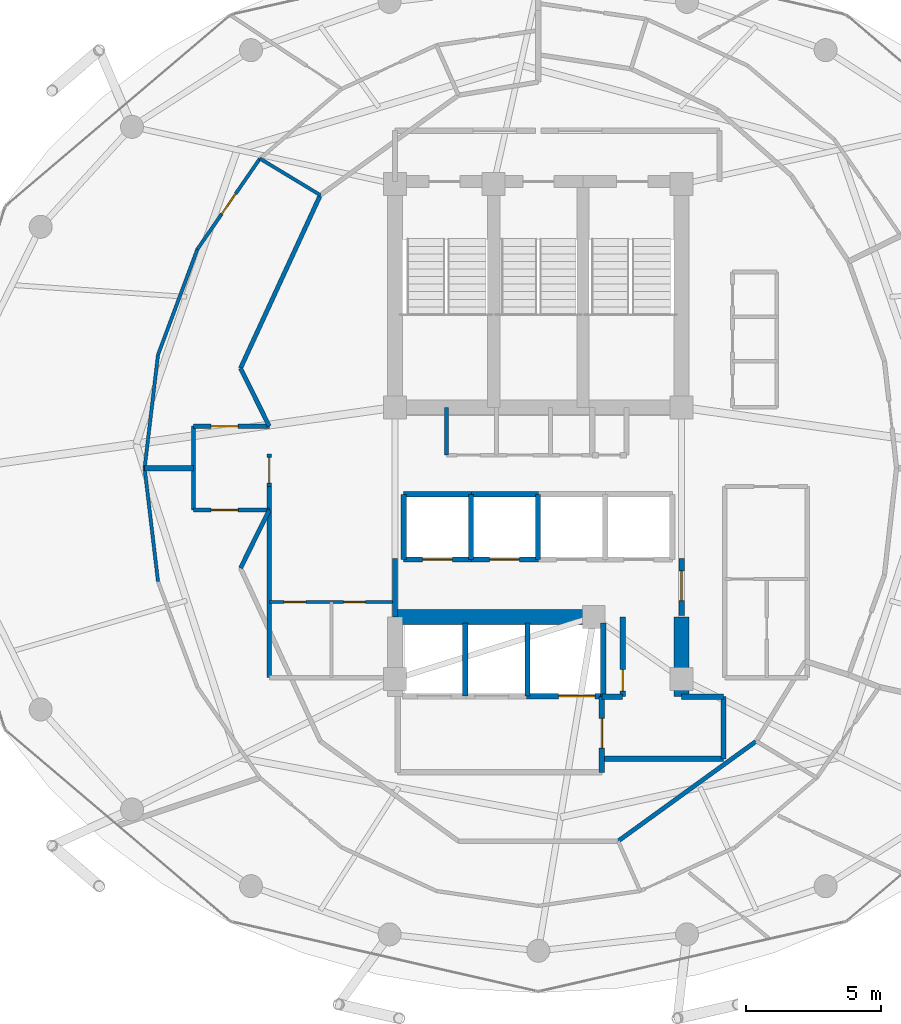
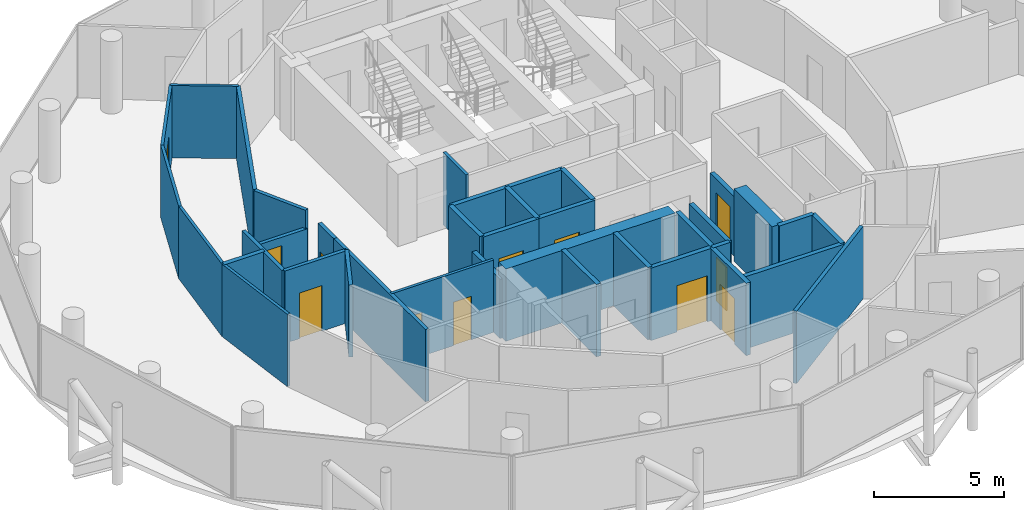
# One storey, part 23 of 27: 38 walls, 12 doors, 12 openings.
"""IFC4 building model written with IfcOpenShell, lengths in metres."""

from ifc_helpers import new_model, si_unit, direction, frame, frame_2d, origin, place, context, subcontext, project, spatial, rectangle, extrude, material, layer, layer_set, type_object, element, fill, save


model = new_model("IFC4")

# Units and contexts
model_context = context("Model", 3, precision=1e-05, world=origin(), true_north=direction((0.0, 1.0)))
body_context = subcontext(model_context, "Body", "Model", "MODEL_VIEW")
ifc_project = project(units=[si_unit("LENGTHUNIT", "METRE"), si_unit("AREAUNIT", "SQUARE_METRE"), si_unit("VOLUMEUNIT", "CUBIC_METRE"), si_unit("PLANEANGLEUNIT", "RADIAN"), si_unit("MASSUNIT", "GRAM", prefix="KILO")], contexts=[model_context])

# Site, building, storey
site_placement = place(None, origin())
site = spatial("IfcSite", under=ifc_project, at=site_placement, CompositionType="ELEMENT")
building_placement = place(site_placement, origin())
building = spatial("IfcBuilding", under=site, at=building_placement, Name="Nuhasar Tower", CompositionType="ELEMENT")
storey_placement = place(building_placement, frame((0.0, 0.0, 233.699951171875)))
storey = spatial("IfcBuildingStorey", under=building, at=storey_placement, Name="L57", CompositionType="ELEMENT", Elevation=233.699951171875)

# Walls
ifc_material_1 = material(Name="Concrete C55/67", Category="concrete")
ifc_layer_1 = layer(ifc_material_1, 0.550048828125)
ifc_layer_set_1 = layer_set([ifc_layer_1], Name="Concrete C55/67")
wall_type_1 = type_object("IfcWallType", Name="WL-CORE-550", PredefinedType="SHEAR", material=ifc_layer_set_1)
wall_1_placement = place(storey_placement, frame((44.300048828125, 18.35009765625, 0.0), z_axis=(0.0, 0.0, 1.0), x_axis=(0.0, 1.0, 0.0)))
element("IfcWall", 1, at=wall_1_placement, inside=storey, type_object=wall_type_1, Name="L57 Core Shear Wall CW-SE CW-550", PredefinedType="SHEAR", context=body_context, shape_type="SweptSolid", body=[
    extrude(rectangle(XDim=2.949951171875, YDim=0.550048828125, at=frame_2d((1.47509765625, 0.0))), origin(), (0.0, 0.0, 1.0), 3.41015625),
])
wall_2_placement = place(storey_placement, frame((33.699951171875, 21.300048828125, 0.0), z_axis=(0.0, 0.0, 1.0), x_axis=(1.0, 0.0, 0.0)))
element("IfcWall", 2, at=wall_2_placement, inside=storey, type_object=wall_type_1, Name="L57 Core Shear Wall CW-S1 CW-550", PredefinedType="SHEAR", context=body_context, shape_type="SweptSolid", body=[
    extrude(rectangle(XDim=7.550048828125, YDim=0.550048828125, at=frame_2d((3.77490234375, 0.0))), origin(), (0.0, 0.0, 1.0), 3.41015625),
])
ifc_material_2 = material(Name="Gypsum Board", Category="gypsum")
ifc_layer_2 = layer(ifc_material_2, 0.159912109375)
ifc_layer_set_2 = layer_set([ifc_layer_2], Name="Gypsum Board")
wall_type_2 = type_object("IfcWallType", Name="WL-CORR-160", PredefinedType="PARTITIONING", material=ifc_layer_set_2)
wall_3_placement = place(storey_placement, frame((29.050048828125, 19.050048828125, 0.0), z_axis=(0.0, 0.0, 1.0), x_axis=(0.0, 1.0, 0.0)))
element("IfcWall", 3, at=wall_3_placement, inside=storey, type_object=wall_type_2, Name="L57 Interior Partition RECL-B1-W", PredefinedType="PARTITIONING", context=body_context, shape_type="SweptSolid", body=[
    extrude(rectangle(XDim=7.070068359375, YDim=0.159912109375, at=frame_2d((3.53515625, 0.0))), origin(), (0.0, 0.0, 1.0), 3.41015625),
])

# Wall, opening, door
wall_4_placement = place(storey_placement, frame((29.050048828125, 26.1201171875, 0.0), z_axis=(0.0, 0.0, 1.0), x_axis=(0.0, 1.0, 0.0)))
wall_4 = element("IfcWall", 4, at=wall_4_placement, inside=storey, type_object=wall_type_2, Name="L57 Interior Partition WVEST-E", PredefinedType="PARTITIONING", context=body_context, shape_type="SweptSolid", body=[
    extrude(rectangle(XDim=1.199951171875, YDim=0.159912109375, at=frame_2d((0.60009765625, 0.0))), origin(), (0.0, 0.0, 1.0), 3.41015625),
])
opening_1_placement = place(wall_4_placement, frame((0.125, 0.0, 0.0)))
opening_1 = element("IfcOpeningElement", 5, at=opening_1_placement, cuts=wall_4, Name="Opening DO-01", PredefinedType="OPENING", context=body_context, shape_type="SweptSolid", body=[
    extrude(rectangle(XDim=0.949951171875, YDim=2.14990234375, at=frame_2d((0.47509765625, 1.074951171875))), frame((0.0, 0.08984375, 0.0), z_axis=(0.0, -1.0, 0.0), x_axis=(1.0, 0.0, 0.0)), (0.0, 0.0, 1.0), 0.179931640625),
])
ifc_material_3 = material(Name="Timber Oak", Category="wood")
door_type_1 = type_object("IfcDoorType", Name="DR-OFFICE-FD30-950", OperationType="NOTDEFINED", PredefinedType="DOOR", material=ifc_material_3)
door_1_placement = place(opening_1_placement, origin())
door_1 = element("IfcDoor", 6, at=door_1_placement, inside=storey, type_object=door_type_1, Name="L57 West Arrival Foyer Core Door", OperationType="SINGLE_SWING_RIGHT", OverallHeight=2.14990234375, OverallWidth=0.949951171875, PredefinedType="DOOR", context=body_context, shape_type="SweptSolid", body=[
    extrude(rectangle(XDim=0.949951171875, YDim=2.14990234375, at=frame_2d((0.47509765625, 1.074951171875))), frame((0.0, 0.02490234375, 0.0), z_axis=(0.0, -1.0, 0.0), x_axis=(1.0, 0.0, 0.0)), (0.0, 0.0, 1.0), 0.050048828125),
])
fill(opening_1, door_1)

# Walls
wall_5_placement = place(storey_placement, frame((30.93896484375, 36.89697265625, 0.0), z_axis=(0.0, 0.0, 1.0), x_axis=(-0.41866934876, -0.908138742929, 0.0)))
element("IfcWall", 7, at=wall_5_placement, inside=storey, type_object=wall_type_2, Name="L57 Interior Partition UWEST-CORE-N2-18", PredefinedType="PARTITIONING", context=body_context, shape_type="SweptSolid", body=[
    extrude(rectangle(XDim=7.04833984375, YDim=0.159912109375, at=frame_2d((3.524169921875, 0.0))), origin(), (0.0, 0.0, 1.0), 3.41015625),
])
wall_6_placement = place(storey_placement, frame((41.950927734375, 13.007080078125, 0.0), z_axis=(0.0, 0.0, 1.0), x_axis=(0.810290119061, 0.586028943784, 0.0)))
element("IfcWall", 8, at=wall_6_placement, inside=storey, type_object=wall_type_2, Name="L57 Interior Partition UWEST-CORE-S1-38", PredefinedType="PARTITIONING", context=body_context, shape_type="SweptSolid", body=[
    extrude(rectangle(XDim=6.306396484375, YDim=0.159912109375, at=frame_2d((3.1533203125, 0.0))), origin(), (0.0, 0.0, 1.0), 3.41015625),
])

# Wall, opening, door
wall_7_placement = place(storey_placement, frame((26.25, 28.35009765625, 0.0), z_axis=(0.0, 0.0, 1.0), x_axis=(1.0, 0.0, 0.0)))
wall_7 = element("IfcWall", 9, at=wall_7_placement, inside=storey, type_object=wall_type_2, Name="L57 Interior Partition WVEST-N", PredefinedType="PARTITIONING", context=body_context, shape_type="SweptSolid", body=[
    extrude(rectangle(XDim=2.800048828125, YDim=0.159912109375, at=frame_2d((1.39990234375, 0.0))), origin(), (0.0, 0.0, 1.0), 2.550048828125),
])
opening_2_placement = place(wall_7_placement, frame((0.64990234375, 0.0, 0.0)))
opening_2 = element("IfcOpeningElement", 10, at=opening_2_placement, cuts=wall_7, Name="Opening DU-02", PredefinedType="OPENING", context=body_context, shape_type="SweptSolid", body=[
    extrude(rectangle(XDim=1.0, YDim=2.14990234375, at=frame_2d((0.5, 1.074951171875))), frame((0.0, 0.08984375, 0.0), z_axis=(0.0, -1.0, 0.0), x_axis=(1.0, 0.0, 0.0)), (0.0, 0.0, 1.0), 0.179931640625),
])
door_type_2 = type_object("IfcDoorType", Name="DR-FLAT-FD60-1000", OperationType="NOTDEFINED", PredefinedType="DOOR", material=ifc_material_3)
door_2_placement = place(opening_2_placement, origin())
door_2 = element("IfcDoor", 11, at=door_2_placement, inside=storey, type_object=door_type_2, Name="L57 North-West Sky Home Entrance", OperationType="SINGLE_SWING_LEFT", OverallHeight=2.14990234375, OverallWidth=1.0, PredefinedType="DOOR", context=body_context, shape_type="SweptSolid", body=[
    extrude(rectangle(XDim=1.0, YDim=2.14990234375, at=frame_2d((0.5, 1.074951171875))), frame((0.0, 0.02490234375, 0.0), z_axis=(0.0, -1.0, 0.0), x_axis=(1.0, 0.0, 0.0)), (0.0, 0.0, 1.0), 0.050048828125),
])
fill(opening_2, door_2)

wall_8_placement = place(storey_placement, frame((26.25, 25.25, 0.0), z_axis=(0.0, 0.0, 1.0), x_axis=(1.0, 0.0, 0.0)))
wall_8 = element("IfcWall", 12, at=wall_8_placement, inside=storey, type_object=wall_type_2, Name="L57 Interior Partition WVEST-S", PredefinedType="PARTITIONING", context=body_context, shape_type="SweptSolid", body=[
    extrude(rectangle(XDim=2.800048828125, YDim=0.159912109375, at=frame_2d((1.39990234375, 0.0))), origin(), (0.0, 0.0, 1.0), 3.41015625),
])
opening_3_placement = place(wall_8_placement, frame((0.64990234375, 0.0, 0.0)))
opening_3 = element("IfcOpeningElement", 13, at=opening_3_placement, cuts=wall_8, Name="Opening DU-02", PredefinedType="OPENING", context=body_context, shape_type="SweptSolid", body=[
    extrude(rectangle(XDim=1.0, YDim=2.14990234375, at=frame_2d((0.5, 1.074951171875))), frame((0.0, 0.08984375, 0.0), z_axis=(0.0, -1.0, 0.0), x_axis=(1.0, 0.0, 0.0)), (0.0, 0.0, 1.0), 0.179931640625),
])
door_3_placement = place(opening_3_placement, origin())
door_3 = element("IfcDoor", 14, at=door_3_placement, inside=storey, type_object=door_type_2, Name="L57 South-West Sky Home Entrance", OperationType="SINGLE_SWING_LEFT", OverallHeight=2.14990234375, OverallWidth=1.0, PredefinedType="DOOR", context=body_context, shape_type="SweptSolid", body=[
    extrude(rectangle(XDim=1.0, YDim=2.14990234375, at=frame_2d((0.5, 1.074951171875))), frame((0.0, 0.02490234375, 0.0), z_axis=(0.0, -1.0, 0.0), x_axis=(1.0, 0.0, 0.0)), (0.0, 0.0, 1.0), 0.050048828125),
])
fill(opening_3, door_3)

# Walls
wall_9_placement = place(storey_placement, frame((26.25, 25.25, 0.0), z_axis=(0.0, 0.0, 1.0), x_axis=(0.0, 1.0, 0.0)))
element("IfcWall", 15, at=wall_9_placement, inside=storey, type_object=wall_type_2, Name="L57 Interior Partition WVEST-W", PredefinedType="PARTITIONING", context=body_context, shape_type="SweptSolid", body=[
    extrude(rectangle(XDim=3.10009765625, YDim=0.159912109375, at=frame_2d((1.550048828125, 0.0))), origin(), (0.0, 0.0, 1.0), 3.41015625),
])
for number, where, z_axis, x_axis, name in (
    (16, (27.988037109375, 30.49609375, 0.0), (0.0, 0.0, 1.0), (0.443539160525, -0.896254993337, 0.0), "L57 Interior Partition WVEST-CN"),
    (17, (27.988037109375, 23.10400390625, 0.0), (0.0, 0.0, 1.0), (0.443539160525, 0.896254993337, 0.0), "L57 Interior Partition WVEST-CS"),
):
    element("IfcWall", number, at=place(storey_placement, frame(where, z_axis=z_axis, x_axis=x_axis)), inside=storey, type_object=wall_type_2, Name=name, PredefinedType="PARTITIONING", context=body_context, shape_type="SweptSolid", body=[
        extrude(rectangle(XDim=2.394287109375, YDim=0.159912109375, at=frame_2d((1.197265625, 0.0))), origin(), (0.0, 0.0, 1.0), 3.41015625),
    ])
ifc_material_4 = material(Name="Concrete C45/55", Category="concrete")
ifc_layer_3 = layer(ifc_material_4, 0.199951171875)
ifc_layer_set_3 = layer_set([ifc_layer_3], Name="Concrete C45/55")
wall_type_3 = type_object("IfcWallType", Name="WL-LOBBY-200", PredefinedType="SOLIDWALL", material=ifc_layer_set_3)
wall_10_placement = place(storey_placement, frame((33.699951171875, 21.300048828125, 0.0), z_axis=(0.0, 0.0, 1.0), x_axis=(0.0, 1.0, 0.0)))
element("IfcWall", 18, at=wall_10_placement, inside=storey, type_object=wall_type_3, Name="L57 Interior Partition LLBH-W", PredefinedType="SOLIDWALL", context=body_context, shape_type="SweptSolid", body=[
    extrude(rectangle(XDim=2.14990234375, YDim=0.199951171875, at=frame_2d((1.074951171875, 0.0))), origin(), (0.0, 0.0, 1.0), 2.795166015625),
])

# Wall, opening, door
wall_11_placement = place(storey_placement, frame((44.300048828125, 21.35009765625, 0.0), z_axis=(0.0, 0.0, 1.0), x_axis=(0.0, 1.0, 0.0)))
wall_11 = element("IfcWall", 19, at=wall_11_placement, inside=storey, type_object=wall_type_3, Name="L57 Interior Partition LLBH-E", PredefinedType="SOLIDWALL", context=body_context, shape_type="SweptSolid", body=[
    extrude(rectangle(XDim=2.099853515625, YDim=0.199951171875, at=frame_2d((1.0498046875, 0.0))), origin(), (0.0, 0.0, 1.0), 2.795166015625),
])
opening_4_placement = place(wall_11_placement, frame((0.550048828125, 0.0, 0.0)))
opening_4 = element("IfcOpeningElement", 20, at=opening_4_placement, cuts=wall_11, Name="Opening DS-02", PredefinedType="OPENING", context=body_context, shape_type="SweptSolid", body=[
    extrude(rectangle(XDim=1.10009765625, YDim=2.14990234375, at=frame_2d((0.550048828125, 1.074951171875))), frame((0.0, 0.10986328125, 0.0), z_axis=(0.0, -1.0, 0.0), x_axis=(1.0, 0.0, 0.0)), (0.0, 0.0, 1.0), 0.219970703125),
])
ifc_material_5 = material(Name="Steel S355", Category="steel")
door_type_3 = type_object("IfcDoorType", Name="DR-FFL-FD120-1100", OperationType="NOTDEFINED", PredefinedType="DOOR", material=ifc_material_5)
door_4_placement = place(opening_4_placement, origin())
door_4 = element("IfcDoor", 21, at=door_4_placement, inside=storey, type_object=door_type_3, Name="L57 High-Rise Lobby East Door", OperationType="SINGLE_SWING_RIGHT", OverallHeight=2.14990234375, OverallWidth=1.10009765625, PredefinedType="DOOR", context=body_context, shape_type="SweptSolid", body=[
    extrude(rectangle(XDim=1.10009765625, YDim=2.14990234375, at=frame_2d((0.550048828125, 1.074951171875))), frame((0.0, 0.02490234375, 0.0), z_axis=(0.0, -1.0, 0.0), x_axis=(1.0, 0.0, 0.0)), (0.0, 0.0, 1.0), 0.050048828125),
])
fill(opening_4, door_4)

wall_12_placement = place(storey_placement, frame((41.35009765625, 15.550048828125, 0.0), z_axis=(0.0, 0.0, 1.0), x_axis=(0.0, 1.0, 0.0)))
wall_12 = element("IfcWall", 22, at=wall_12_placement, inside=storey, type_object=wall_type_3, Name="L57 Interior Partition FFL-E", PredefinedType="SOLIDWALL", context=body_context, shape_type="SweptSolid", body=[
    extrude(rectangle(XDim=2.800048828125, YDim=0.199951171875, at=frame_2d((1.39990234375, 0.0))), origin(), (0.0, 0.0, 1.0), 3.41015625),
])
opening_5_placement = place(wall_12_placement, frame((0.89990234375, 0.0, 0.0)))
opening_5 = element("IfcOpeningElement", 23, at=opening_5_placement, cuts=wall_12, Name="Opening DS-02", PredefinedType="OPENING", context=body_context, shape_type="SweptSolid", body=[
    extrude(rectangle(XDim=1.10009765625, YDim=2.14990234375, at=frame_2d((0.550048828125, 1.074951171875))), frame((0.0, 0.10986328125, 0.0), z_axis=(0.0, -1.0, 0.0), x_axis=(1.0, 0.0, 0.0)), (0.0, 0.0, 1.0), 0.219970703125),
])
door_5_placement = place(opening_5_placement, origin())
door_5 = element("IfcDoor", 24, at=door_5_placement, inside=storey, type_object=door_type_3, Name="L57 Firefighting Lobby Door", OperationType="SINGLE_SWING_RIGHT", OverallHeight=2.14990234375, OverallWidth=1.10009765625, PredefinedType="DOOR", context=body_context, shape_type="SweptSolid", body=[
    extrude(rectangle(XDim=1.10009765625, YDim=2.14990234375, at=frame_2d((0.550048828125, 1.074951171875))), frame((0.0, 0.02490234375, 0.0), z_axis=(0.0, -1.0, 0.0), x_axis=(1.0, 0.0, 0.0)), (0.0, 0.0, 1.0), 0.050048828125),
])
fill(opening_5, door_5)

# Walls
wall_13_placement = place(storey_placement, frame((41.35009765625, 16.050048828125, 0.0), z_axis=(0.0, 0.0, 1.0), x_axis=(1.0, 0.0, 0.0)))
element("IfcWall", 25, at=wall_13_placement, inside=storey, type_object=wall_type_3, Name="L57 Interior Partition SVLV-S", PredefinedType="SOLIDWALL", context=body_context, shape_type="SweptSolid", body=[
    extrude(rectangle(XDim=4.5, YDim=0.199951171875, at=frame_2d((2.25, 0.0))), origin(), (0.0, 0.0, 1.0), 3.41015625),
])
wall_14_placement = place(storey_placement, frame((45.85009765625, 16.050048828125, 0.0), z_axis=(0.0, 0.0, 1.0), x_axis=(0.0, 1.0, 0.0)))
element("IfcWall", 26, at=wall_14_placement, inside=storey, type_object=wall_type_3, Name="L57 Interior Partition SVLV-E", PredefinedType="SOLIDWALL", context=body_context, shape_type="SweptSolid", body=[
    extrude(rectangle(XDim=2.300048828125, YDim=0.199951171875, at=frame_2d((1.14990234375, 0.0))), origin(), (0.0, 0.0, 1.0), 3.41015625),
])
wall_15_placement = place(storey_placement, frame((44.300048828125, 18.35009765625, 0.0), z_axis=(0.0, 0.0, 1.0), x_axis=(1.0, 0.0, 0.0)))
element("IfcWall", 27, at=wall_15_placement, inside=storey, type_object=wall_type_3, Name="L57 Interior Partition SVLV-N", PredefinedType="SOLIDWALL", context=body_context, shape_type="SweptSolid", body=[
    extrude(rectangle(XDim=1.550048828125, YDim=0.199951171875, at=frame_2d((0.77490234375, 0.0))), origin(), (0.0, 0.0, 1.0), 3.41015625),
])

# Wall, openings, doors
ifc_layer_4 = layer(ifc_material_2, 0.125)
ifc_layer_set_4 = layer_set([ifc_layer_4], Name="Gypsum Board")
wall_type_4 = type_object("IfcWallType", Name="WL-PART-125", PredefinedType="PARTITIONING", material=ifc_layer_set_4)
wall_16_placement = place(storey_placement, frame((33.60009765625, 21.85009765625, 0.0), z_axis=(0.0, 0.0, 1.0), x_axis=(-1.0, 0.0, 0.0)))
wall_16 = element("IfcWall", 28, at=wall_16_placement, inside=storey, type_object=wall_type_4, Name="L57 Interior Partition HKPK1-N", PredefinedType="PARTITIONING", context=body_context, shape_type="SweptSolid", body=[
    extrude(rectangle(XDim=4.550048828125, YDim=0.125, at=frame_2d((2.27490234375, 0.0))), origin(), (0.0, 0.0, 1.0), 3.41015625),
])
opening_6_placement = place(wall_16_placement, frame((3.199951171875, 0.0, 0.0)))
opening_6 = element("IfcOpeningElement", 29, at=opening_6_placement, cuts=wall_16, Name="Opening DM-01", PredefinedType="OPENING", context=body_context, shape_type="SweptSolid", body=[
    extrude(rectangle(XDim=0.800048828125, YDim=2.050048828125, at=frame_2d((0.39990234375, 1.02490234375))), frame((0.0, 0.072509765625, 0.0), z_axis=(0.0, -1.0, 0.0), x_axis=(1.0, 0.0, 0.0)), (0.0, 0.0, 1.0), 0.14501953125),
])
opening_7_placement = place(wall_16_placement, frame((1.0, 0.0, 0.0)))
opening_7 = element("IfcOpeningElement", 30, at=opening_7_placement, cuts=wall_16, Name="Opening DM-01", PredefinedType="OPENING", context=body_context, shape_type="SweptSolid", body=[
    extrude(rectangle(XDim=0.800048828125, YDim=2.050048828125, at=frame_2d((0.39990234375, 1.02490234375))), frame((0.0, 0.072509765625, 0.0), z_axis=(0.0, -1.0, 0.0), x_axis=(1.0, 0.0, 0.0)), (0.0, 0.0, 1.0), 0.14501953125),
])
door_type_4 = type_object("IfcDoorType", Name="DR-RISER-FD60-800", OperationType="NOTDEFINED", PredefinedType="DOOR", material=ifc_material_5)
door_6_placement = place(opening_6_placement, origin())
door_6 = element("IfcDoor", 31, at=door_6_placement, inside=storey, type_object=door_type_4, Name="L57 Housekeeping Closet Door", OperationType="SINGLE_SWING_RIGHT", OverallHeight=2.050048828125, OverallWidth=0.800048828125, PredefinedType="DOOR", context=body_context, shape_type="SweptSolid", body=[
    extrude(rectangle(XDim=0.800048828125, YDim=2.050048828125, at=frame_2d((0.39990234375, 1.02490234375))), frame((0.0, 0.02490234375, 0.0), z_axis=(0.0, -1.0, 0.0), x_axis=(1.0, 0.0, 0.0)), (0.0, 0.0, 1.0), 0.050048828125),
])
fill(opening_6, door_6)
door_7_placement = place(opening_7_placement, origin())
door_7 = element("IfcDoor", 32, at=door_7_placement, inside=storey, type_object=door_type_4, Name="L57 Linen Store Door", OperationType="SINGLE_SWING_LEFT", OverallHeight=2.050048828125, OverallWidth=0.800048828125, PredefinedType="DOOR", context=body_context, shape_type="SweptSolid", body=[
    extrude(rectangle(XDim=0.800048828125, YDim=2.050048828125, at=frame_2d((0.39990234375, 1.02490234375))), frame((0.0, 0.02490234375, 0.0), z_axis=(0.0, -1.0, 0.0), x_axis=(1.0, 0.0, 0.0)), (0.0, 0.0, 1.0), 0.050048828125),
])
fill(opening_7, door_7)

# Wall
wall_17_placement = place(storey_placement, frame((30.93896484375, 36.89697265625, 0.0), z_axis=(0.0, 0.0, 1.0), x_axis=(-0.855672275727, 0.517518073647, 0.0)))
element("IfcWall", 33, at=wall_17_placement, inside=storey, type_object=wall_type_4, Name="L57 Interior Partition USI-1-KD", PredefinedType="PARTITIONING", context=body_context, shape_type="SweptSolid", body=[
    extrude(rectangle(XDim=2.610595703125, YDim=0.125, at=frame_2d((1.30517578125, 0.0))), origin(), (0.0, 0.0, 1.0), 3.41015625),
])

# Wall, opening, door
wall_18_placement = place(storey_placement, frame((26.39111328125, 34.89501953125, 0.0), z_axis=(0.0, 0.0, 1.0), x_axis=(0.567987799291, 0.823036973566, 0.0)))
wall_18 = element("IfcWall", 34, at=wall_18_placement, inside=storey, type_object=wall_type_4, Name="L57 Interior Partition USM-1-D-18", PredefinedType="PARTITIONING", context=body_context, shape_type="SweptSolid", body=[
    extrude(rectangle(XDim=4.073974609375, YDim=0.125, at=frame_2d((2.037109375, 0.0))), origin(), (0.0, 0.0, 1.0), 3.41015625),
])
opening_8_placement = place(wall_18_placement, frame((1.5869140625, 0.0, 0.0)))
opening_8 = element("IfcOpeningElement", 35, at=opening_8_placement, cuts=wall_18, Name="Opening DR-01", PredefinedType="OPENING", context=body_context, shape_type="SweptSolid", body=[
    extrude(rectangle(XDim=0.89990234375, YDim=2.10009765625, at=frame_2d((0.449951171875, 1.050048828125))), frame((0.0, 0.072509765625, 0.0), z_axis=(0.0, -1.0, 0.0), x_axis=(1.0, 0.0, 0.0)), (0.0, 0.0, 1.0), 0.14501953125),
])
door_type_5 = type_object("IfcDoorType", Name="DR-ROOM-900", OperationType="NOTDEFINED", PredefinedType="DOOR", material=ifc_material_3)
door_8_placement = place(opening_8_placement, origin())
door_8 = element("IfcDoor", 36, at=door_8_placement, inside=storey, type_object=door_type_5, Name="L57 North-West Sky Home Living Door", OperationType="SINGLE_SWING_LEFT", OverallHeight=2.10009765625, OverallWidth=0.89990234375, PredefinedType="DOOR", context=body_context, shape_type="SweptSolid", body=[
    extrude(rectangle(XDim=0.89990234375, YDim=2.10009765625, at=frame_2d((0.449951171875, 1.050048828125))), frame((0.0, 0.02490234375, 0.0), z_axis=(0.0, -1.0, 0.0), x_axis=(1.0, 0.0, 0.0)), (0.0, 0.0, 1.0), 0.050048828125),
])
fill(opening_8, door_8)

# Walls
wall_19_placement = place(storey_placement, frame((26.39111328125, 34.89501953125, 0.0), z_axis=(0.0, 0.0, 1.0), x_axis=(-0.349164501946, -0.9370614444, 0.0)))
element("IfcWall", 37, at=wall_19_placement, inside=storey, type_object=wall_type_4, Name="L57 Interior Partition USM-1-D-20", PredefinedType="PARTITIONING", context=body_context, shape_type="SweptSolid", body=[
    extrude(rectangle(XDim=4.167236328125, YDim=0.125, at=frame_2d((2.08349609375, 0.0))), origin(), (0.0, 0.0, 1.0), 3.41015625),
])
for number, where, z_axis, x_axis, name in (
    (38, (24.93603515625, 30.989990234375, 0.0), (0.0, 0.0, 1.0), (-0.117579821671, -0.9930634348, 0.0), "L57 Interior Partition USM-1-D-22"),
    (39, (24.43994140625, 26.800048828125, 0.0), (0.0, 0.0, 1.0), (0.117579821671, -0.9930634348, 0.0), "L57 Interior Partition USM-1-D-24"),
):
    element("IfcWall", number, at=place(storey_placement, frame(where, z_axis=z_axis, x_axis=x_axis)), inside=storey, type_object=wall_type_4, Name=name, PredefinedType="PARTITIONING", context=body_context, shape_type="SweptSolid", body=[
        extrude(rectangle(XDim=4.21923828125, YDim=0.125, at=frame_2d((2.109619140625, 0.0))), origin(), (0.0, 0.0, 1.0), 3.41015625),
    ])

# Wall, opening, door
ifc_layer_5 = layer(ifc_material_4, 0.199951171875)
ifc_layer_set_5 = layer_set([ifc_layer_5], Name="Concrete C45/55")
wall_type_5 = type_object("IfcWallType", Name="WL-SHAFT-200", PredefinedType="SOLIDWALL", material=ifc_layer_set_5)
wall_20_placement = place(storey_placement, frame((34.02001953125, 23.419921875, 0.0), z_axis=(0.0, 0.0, 1.0), x_axis=(1.0, 0.0, 0.0)))
wall_20 = element("IfcWall", 40, at=wall_20_placement, inside=storey, type_object=wall_type_5, Name="L57 Interior Partition SHF-PL-H01-S", PredefinedType="SOLIDWALL", context=body_context, shape_type="SweptSolid", body=[
    extrude(rectangle(XDim=2.5, YDim=0.199951171875, at=frame_2d((1.25, 0.0))), origin(), (0.0, 0.0, 1.0), 3.41015625),
])
opening_9_placement = place(wall_20_placement, frame((0.699951171875, 0.0, 0.0)))
opening_9 = element("IfcOpeningElement", 41, at=opening_9_placement, cuts=wall_20, Name="Opening LD-H01", PredefinedType="OPENING", context=body_context, shape_type="SweptSolid", body=[
    extrude(rectangle(XDim=1.10009765625, YDim=2.14990234375, at=frame_2d((0.550048828125, 1.074951171875))), frame((0.0, 0.10986328125, 0.0), z_axis=(0.0, -1.0, 0.0), x_axis=(1.0, 0.0, 0.0)), (0.0, 0.0, 1.0), 0.219970703125),
])
ifc_material_6 = material(Name="Stainless Steel 316L", Category="steel")
door_type_6 = type_object("IfcDoorType", Name="LD-PAX-1100", OperationType="DOUBLE_DOOR_SLIDING", PredefinedType="DOOR", material=ifc_material_6)
door_9_placement = place(opening_9_placement, origin())
door_9 = element("IfcDoor", 42, at=door_9_placement, inside=storey, type_object=door_type_6, Name="L57 Lift Landing Door PL-H01", OperationType="DOUBLE_DOOR_SLIDING", OverallHeight=2.14990234375, OverallWidth=1.10009765625, PredefinedType="DOOR", context=body_context, shape_type="SweptSolid", body=[
    extrude(rectangle(XDim=1.10009765625, YDim=2.14990234375, at=frame_2d((0.550048828125, 1.074951171875))), frame((0.0, 0.02490234375, 0.0), z_axis=(0.0, -1.0, 0.0), x_axis=(1.0, 0.0, 0.0)), (0.0, 0.0, 1.0), 0.050048828125),
])
fill(opening_9, door_9)

# Walls
wall_21_placement = place(storey_placement, frame((34.02001953125, 25.830078125, 0.0), z_axis=(0.0, 0.0, 1.0), x_axis=(1.0, 0.0, 0.0)))
element("IfcWall", 43, at=wall_21_placement, inside=storey, type_object=wall_type_5, Name="L57 Interior Partition SHF-PL-H01-N", PredefinedType="SOLIDWALL", context=body_context, shape_type="SweptSolid", body=[
    extrude(rectangle(XDim=2.5, YDim=0.199951171875, at=frame_2d((1.25, 0.0))), origin(), (0.0, 0.0, 1.0), 3.41015625),
])
for number, where, z_axis, x_axis, name in (
    (44, (34.02001953125, 23.419921875, 0.0), (0.0, 0.0, 1.0), (0.0, 1.0, 0.0), "L57 Interior Partition SHF-PL-H01-W"),
    (45, (36.510009765625, 23.419921875, 0.0), (0.0, 0.0, 1.0), (0.0, 1.0, 0.0), "L57 Interior Partition SHF-PL-H01-E"),
):
    element("IfcWall", number, at=place(storey_placement, frame(where, z_axis=z_axis, x_axis=x_axis)), inside=storey, type_object=wall_type_5, Name=name, PredefinedType="SOLIDWALL", context=body_context, shape_type="SweptSolid", body=[
        extrude(rectangle(XDim=2.41015625, YDim=0.199951171875, at=frame_2d((1.205078125, 0.0))), origin(), (0.0, 0.0, 1.0), 3.41015625),
    ])

# Wall, opening, door
wall_22_placement = place(storey_placement, frame((36.5, 23.419921875, 0.0), z_axis=(0.0, 0.0, 1.0), x_axis=(1.0, 0.0, 0.0)))
wall_22 = element("IfcWall", 46, at=wall_22_placement, inside=storey, type_object=wall_type_5, Name="L57 Interior Partition SHF-PL-H02-S", PredefinedType="SOLIDWALL", context=body_context, shape_type="SweptSolid", body=[
    extrude(rectangle(XDim=2.5, YDim=0.199951171875, at=frame_2d((1.25, 0.0))), origin(), (0.0, 0.0, 1.0), 3.41015625),
])
opening_10_placement = place(wall_22_placement, frame((0.699951171875, 0.0, 0.0)))
opening_10 = element("IfcOpeningElement", 47, at=opening_10_placement, cuts=wall_22, Name="Opening LD-H02", PredefinedType="OPENING", context=body_context, shape_type="SweptSolid", body=[
    extrude(rectangle(XDim=1.10009765625, YDim=2.14990234375, at=frame_2d((0.550048828125, 1.074951171875))), frame((0.0, 0.10986328125, 0.0), z_axis=(0.0, -1.0, 0.0), x_axis=(1.0, 0.0, 0.0)), (0.0, 0.0, 1.0), 0.219970703125),
])
door_10_placement = place(opening_10_placement, origin())
door_10 = element("IfcDoor", 48, at=door_10_placement, inside=storey, type_object=door_type_6, Name="L57 Lift Landing Door PL-H02", OperationType="DOUBLE_DOOR_SLIDING", OverallHeight=2.14990234375, OverallWidth=1.10009765625, PredefinedType="DOOR", context=body_context, shape_type="SweptSolid", body=[
    extrude(rectangle(XDim=1.10009765625, YDim=2.14990234375, at=frame_2d((0.550048828125, 1.074951171875))), frame((0.0, 0.02490234375, 0.0), z_axis=(0.0, -1.0, 0.0), x_axis=(1.0, 0.0, 0.0)), (0.0, 0.0, 1.0), 0.050048828125),
])
fill(opening_10, door_10)

# Walls
wall_23_placement = place(storey_placement, frame((36.5, 25.830078125, 0.0), z_axis=(0.0, 0.0, 1.0), x_axis=(1.0, 0.0, 0.0)))
element("IfcWall", 49, at=wall_23_placement, inside=storey, type_object=wall_type_5, Name="L57 Interior Partition SHF-PL-H02-N", PredefinedType="SOLIDWALL", context=body_context, shape_type="SweptSolid", body=[
    extrude(rectangle(XDim=2.5, YDim=0.199951171875, at=frame_2d((1.25, 0.0))), origin(), (0.0, 0.0, 1.0), 3.41015625),
])
wall_24_placement = place(storey_placement, frame((38.989990234375, 23.419921875, 0.0), z_axis=(0.0, 0.0, 1.0), x_axis=(0.0, 1.0, 0.0)))
element("IfcWall", 50, at=wall_24_placement, inside=storey, type_object=wall_type_5, Name="L57 Interior Partition SHF-PL-H02-E", PredefinedType="SOLIDWALL", context=body_context, shape_type="SweptSolid", body=[
    extrude(rectangle(XDim=2.41015625, YDim=0.199951171875, at=frame_2d((1.205078125, 0.0))), origin(), (0.0, 0.0, 1.0), 3.41015625),
])
for number, where, z_axis, x_axis, name in (
    (51, (36.300048828125, 18.3701171875, 0.0), (0.0, 0.0, 1.0), (0.0, 1.0, 0.0), "L57 Interior Partition SHF-FFL-01-E"),
    (52, (38.60009765625, 18.3701171875, 0.0), (0.0, 0.0, 1.0), (0.0, 1.0, 0.0), "L57 Interior Partition SHF-FFL-02-E"),
):
    element("IfcWall", number, at=place(storey_placement, frame(where, z_axis=z_axis, x_axis=x_axis)), inside=storey, type_object=wall_type_5, Name=name, PredefinedType="SOLIDWALL", context=body_context, shape_type="SweptSolid", body=[
        extrude(rectangle(XDim=2.7099609375, YDim=0.199951171875, at=frame_2d((1.35498046875, 0.0))), origin(), (0.0, 0.0, 1.0), 3.41015625),
    ])

# Wall, opening, door
wall_25_placement = place(storey_placement, frame((38.570068359375, 18.3701171875, 0.0), z_axis=(0.0, 0.0, 1.0), x_axis=(1.0, 0.0, 0.0)))
wall_25 = element("IfcWall", 53, at=wall_25_placement, inside=storey, type_object=wall_type_5, Name="L57 Interior Partition SHF-SVL-01-S", PredefinedType="SOLIDWALL", context=body_context, shape_type="SweptSolid", body=[
    extrude(rectangle(XDim=2.829833984375, YDim=0.199951171875, at=frame_2d((1.4150390625, 0.0))), origin(), (0.0, 0.0, 1.0), 3.41015625),
])
opening_11_placement = place(wall_25_placement, frame((1.179931640625, 0.0, 0.0)))
opening_11 = element("IfcOpeningElement", 54, at=opening_11_placement, cuts=wall_25, Name="Opening LD-S01", PredefinedType="OPENING", context=body_context, shape_type="SweptSolid", body=[
    extrude(rectangle(XDim=1.35009765625, YDim=2.179931640625, at=frame_2d((0.675048828125, 1.08984375))), frame((0.0, 0.10986328125, 0.0), z_axis=(0.0, -1.0, 0.0), x_axis=(1.0, 0.0, 0.0)), (0.0, 0.0, 1.0), 0.219970703125),
])
door_type_7 = type_object("IfcDoorType", Name="LD-SVL-1350", OperationType="DOUBLE_DOOR_SLIDING", PredefinedType="DOOR", material=ifc_material_6)
door_11_placement = place(opening_11_placement, origin())
door_11 = element("IfcDoor", 55, at=door_11_placement, inside=storey, type_object=door_type_7, Name="L57 Lift Landing Door SVL-01", OperationType="DOUBLE_DOOR_SLIDING", OverallHeight=2.179931640625, OverallWidth=1.35009765625, PredefinedType="DOOR", context=body_context, shape_type="SweptSolid", body=[
    extrude(rectangle(XDim=1.35009765625, YDim=2.179931640625, at=frame_2d((0.675048828125, 1.08984375))), frame((0.0, 0.02490234375, 0.0), z_axis=(0.0, -1.0, 0.0), x_axis=(1.0, 0.0, 0.0)), (0.0, 0.0, 1.0), 0.050048828125),
])
fill(opening_11, door_11)

# Wall
wall_26_placement = place(storey_placement, frame((41.39990234375, 18.3701171875, 0.0), z_axis=(0.0, 0.0, 1.0), x_axis=(0.0, 1.0, 0.0)))
element("IfcWall", 56, at=wall_26_placement, inside=storey, type_object=wall_type_5, Name="L57 Interior Partition SHF-SVL-01-E", PredefinedType="SOLIDWALL", context=body_context, shape_type="SweptSolid", body=[
    extrude(rectangle(XDim=2.7099609375, YDim=0.199951171875, at=frame_2d((1.35498046875, 0.0))), origin(), (0.0, 0.0, 1.0), 3.41015625),
])

# Wall, opening, door
wall_27_placement = place(storey_placement, frame((42.1201171875, 18.35009765625, 0.0), z_axis=(0.0, 0.0, 1.0), x_axis=(0.0, 1.0, 0.0)))
wall_27 = element("IfcWall", 57, at=wall_27_placement, inside=storey, type_object=wall_type_5, Name="L57 Interior Partition RSR-E", PredefinedType="SOLIDWALL", context=body_context, shape_type="SweptSolid", body=[
    extrude(rectangle(XDim=2.949951171875, YDim=0.199951171875, at=frame_2d((1.47509765625, 0.0))), origin(), (0.0, 0.0, 1.0), 3.41015625),
])
opening_12_placement = place(wall_27_placement, frame((0.199951171875, 0.0, 0.0)))
opening_12 = element("IfcOpeningElement", 58, at=opening_12_placement, cuts=wall_27, Name="Opening DM-01", PredefinedType="OPENING", context=body_context, shape_type="SweptSolid", body=[
    extrude(rectangle(XDim=0.800048828125, YDim=2.050048828125, at=frame_2d((0.39990234375, 1.02490234375))), frame((0.0, 0.10986328125, 0.0), z_axis=(0.0, -1.0, 0.0), x_axis=(1.0, 0.0, 0.0)), (0.0, 0.0, 1.0), 0.219970703125),
])
door_12_placement = place(opening_12_placement, origin())
door_12 = element("IfcDoor", 59, at=door_12_placement, inside=storey, type_object=door_type_4, Name="L57 MEP Riser Access Door", OperationType="SINGLE_SWING_LEFT", OverallHeight=2.050048828125, OverallWidth=0.800048828125, PredefinedType="DOOR", context=body_context, shape_type="SweptSolid", body=[
    extrude(rectangle(XDim=0.800048828125, YDim=2.050048828125, at=frame_2d((0.39990234375, 1.02490234375))), frame((0.0, 0.02490234375, 0.0), z_axis=(0.0, -1.0, 0.0), x_axis=(1.0, 0.0, 0.0)), (0.0, 0.0, 1.0), 0.050048828125),
])
fill(opening_12, door_12)

# Walls
wall_28_placement = place(storey_placement, frame((41.35009765625, 18.35009765625, 0.0), z_axis=(0.0, 0.0, 1.0), x_axis=(1.0, 0.0, 0.0)))
element("IfcWall", 60, at=wall_28_placement, inside=storey, type_object=wall_type_5, Name="L57 Interior Partition RSR-S", PredefinedType="SOLIDWALL", context=body_context, shape_type="SweptSolid", body=[
    extrude(rectangle(XDim=0.77001953125, YDim=0.199951171875, at=frame_2d((0.385009765625, 0.0))), origin(), (0.0, 0.0, 1.0), 3.41015625),
])
ifc_material_7 = material(Name="Concrete C40/50 precast", Category="concrete")
ifc_layer_6 = layer(ifc_material_7, 0.199951171875)
ifc_layer_set_6 = layer_set([ifc_layer_6], Name="Concrete C40/50 precast")
wall_type_6 = type_object("IfcWallType", Name="WL-UNIT-200", PredefinedType="PARTITIONING", material=ifc_layer_set_6)
wall_29_placement = place(storey_placement, frame((26.25, 26.800048828125, 0.0), z_axis=(0.0, 0.0, 1.0), x_axis=(-1.0, 0.0, 0.0)))
element("IfcWall", 61, at=wall_29_placement, inside=storey, type_object=wall_type_6, Name="L57 Interior Partition UWEST-PARTY-IN", PredefinedType="PARTITIONING", context=body_context, shape_type="SweptSolid", body=[
    extrude(rectangle(XDim=1.81005859375, YDim=0.199951171875, at=frame_2d((0.905029296875, 0.0))), origin(), (0.0, 0.0, 1.0), 3.41015625),
])
ifc_layer_7 = layer(ifc_material_7, 0.139892578125)
ifc_layer_set_7 = layer_set([ifc_layer_7], Name="Concrete C40/50 precast")
wall_type_7 = type_object("IfcWallType", Name="WL-WET-140", PredefinedType="PARTITIONING", material=ifc_layer_set_7)
wall_30_placement = place(storey_placement, frame((35.60009765625, 27.280029296875, 0.0), z_axis=(0.0, 0.0, 1.0), x_axis=(0.0, 1.0, 0.0)))
element("IfcWall", 62, at=wall_30_placement, inside=storey, type_object=wall_type_7, Name="L57 Interior Partition CSVC-W", PredefinedType="PARTITIONING", context=body_context, shape_type="SweptSolid", body=[
    extrude(rectangle(XDim=1.77001953125, YDim=0.139892578125, at=frame_2d((0.885009765625, 0.0))), origin(), (0.0, 0.0, 1.0), 3.41015625),
])

save(model, "model.ifc")
